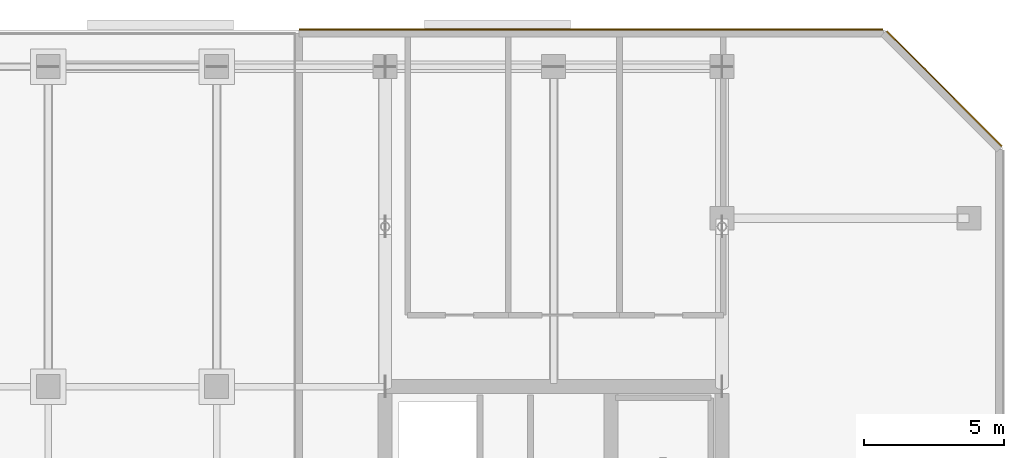
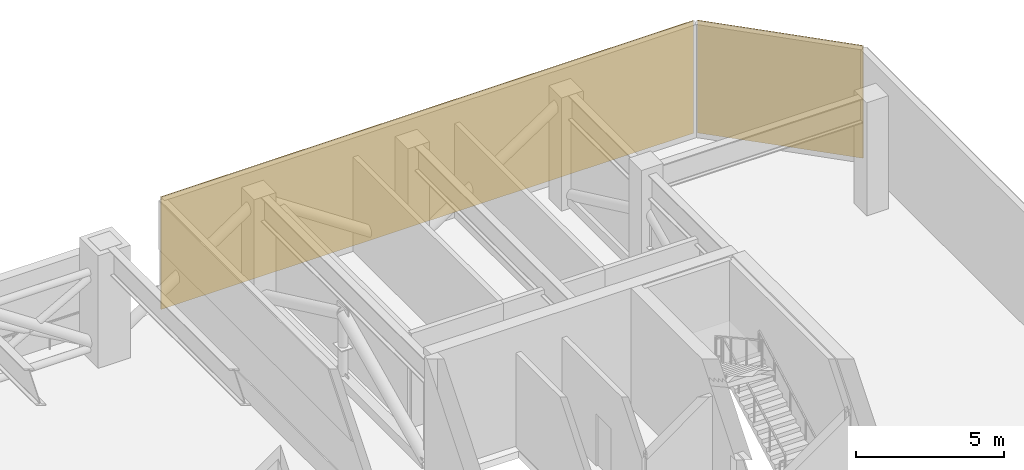
# One storey, part 18 of 18: 2 coverings.
"""IFC4 building model written with IfcOpenShell, lengths in metres."""

from ifc_helpers import new_model, si_unit, direction, frame, origin, origin_2d, place, context, subcontext, project, spatial, rectangle, extrude, material, layer, layer_set, type_object, element, save


model = new_model("IFC4")

# Units and contexts
model_context = context("Model", 3, precision=1e-05, world=origin(), true_north=direction((0.0, 1.0)))
body_context = subcontext(model_context, "Body", "Model", "MODEL_VIEW")
ifc_project = project(units=[si_unit("LENGTHUNIT", "METRE"), si_unit("AREAUNIT", "SQUARE_METRE"), si_unit("VOLUMEUNIT", "CUBIC_METRE"), si_unit("PLANEANGLEUNIT", "RADIAN"), si_unit("MASSUNIT", "GRAM", prefix="KILO")], contexts=[model_context])

# Site, building, storey
site_placement = place(None, origin())
site = spatial("IfcSite", under=ifc_project, at=site_placement, CompositionType="ELEMENT")
building_placement = place(site_placement, origin())
building = spatial("IfcBuilding", under=site, at=building_placement, Name="Tanjung Sevakor Pilgrim Tower", CompositionType="ELEMENT")
storey_placement = place(building_placement, frame((0.0, 0.0, 172.919921875)))
storey = spatial("IfcBuildingStorey", under=building, at=storey_placement, Name="L48", CompositionType="ELEMENT", Elevation=172.919921875)

# Coverings
ifc_material = material(Name="Reconstructed Limestone Cladding", Category="masonry")
ifc_layer = layer(ifc_material, 0.044921875)
ifc_layer_set = layer_set([ifc_layer], Name="COV-CLAD-LIMESTONE")
covering_type = type_object("IfcCoveringType", Name="COV-CLAD-LIMESTONE", PredefinedType="CLADDING", material=ifc_layer_set)
covering_1_placement = place(storey_placement, frame((97.916015625, 53.2158203125, 0.02001953125), z_axis=(0.0, 0.0, 1.0), x_axis=(-0.707106781187, 0.707106781187, 0.0)))
element("IfcCovering", 1, at=covering_1_placement, inside=storey, type_object=covering_type, Name="L48 Warm Limestone Wall Cladding EW-RFE-L48-4", PredefinedType="CLADDING", context=body_context, shape_type="SweptSolid", body=[
    extrude(rectangle(XDim=5.796142578125, YDim=0.044921875, at=origin_2d()), origin(), (0.0, 0.0, 1.0), 4.6298828125),
])
covering_2_placement = place(storey_placement, frame((85.336669921875, 55.322509765625, 0.02001953125), z_axis=(0.0, 0.0, 1.0), x_axis=(-1.0, 0.0, 0.0)))
element("IfcCovering", 2, at=covering_2_placement, inside=storey, type_object=covering_type, Name="L48 Warm Limestone Wall Cladding EW-RFE-L48-5", PredefinedType="CLADDING", context=body_context, shape_type="SweptSolid", body=[
    extrude(rectangle(XDim=20.783203125, YDim=0.044921875, at=origin_2d()), origin(), (0.0, 0.0, 1.0), 4.6298828125),
])

save(model, "model.ifc")
